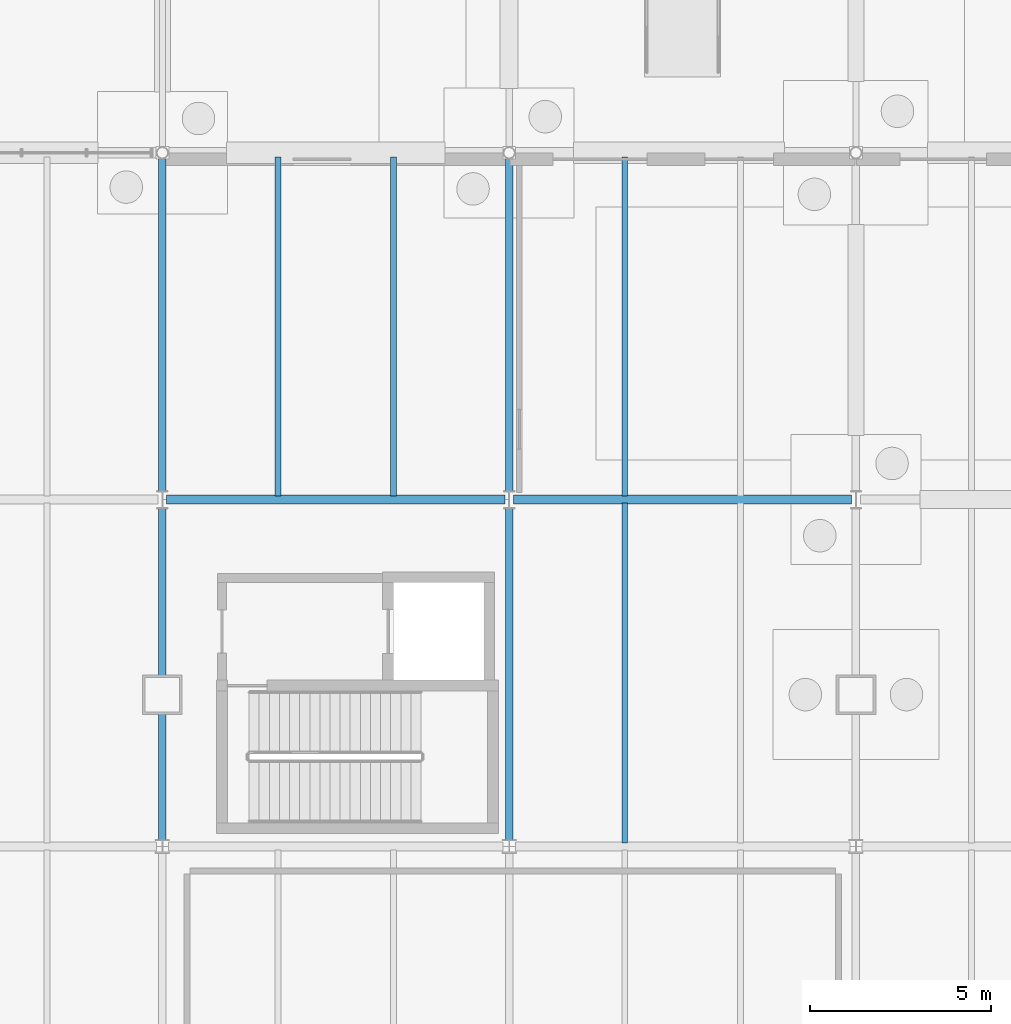
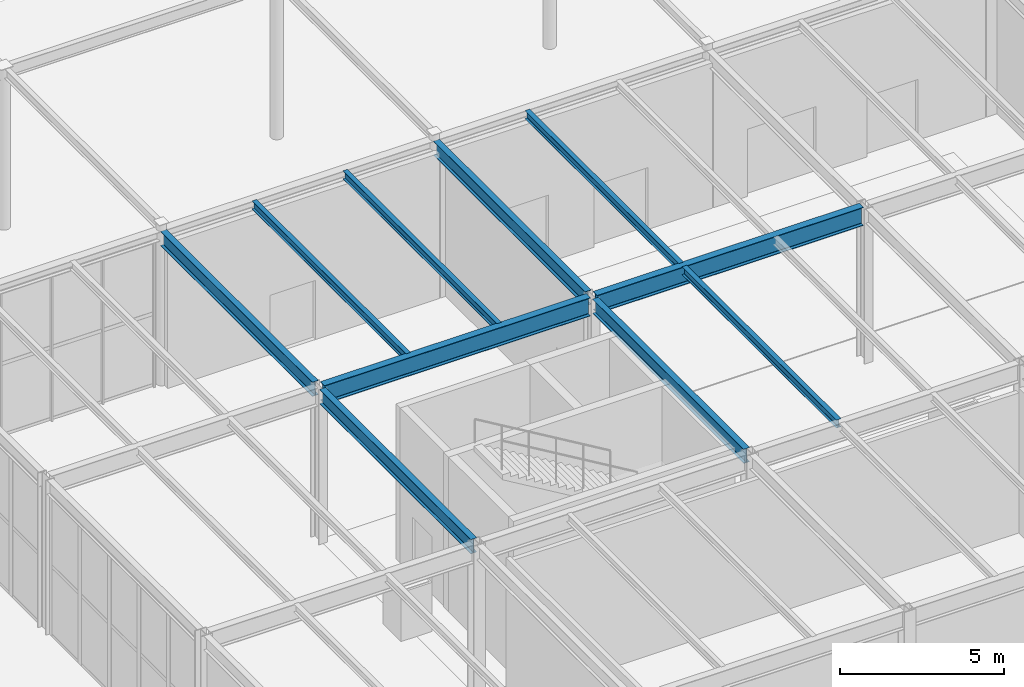
# One storey, part 74 of 142: 10 beams.
"""IFC4 building model written with IfcOpenShell, lengths in metres."""

from ifc_helpers import new_model, si_unit, direction, frame, origin, origin_2d, place, context, subcontext, project, spatial, i_section, extrude, material, material_profile, profile_set, type_object, element, save


model = new_model("IFC4")

# Units and contexts
model_context = context("Model", 3, precision=1e-05, world=origin(), true_north=direction((0.0, 1.0)))
body_context = subcontext(model_context, "Body", "Model", "MODEL_VIEW")
ifc_project = project(units=[si_unit("LENGTHUNIT", "METRE"), si_unit("AREAUNIT", "SQUARE_METRE"), si_unit("VOLUMEUNIT", "CUBIC_METRE"), si_unit("PLANEANGLEUNIT", "RADIAN"), si_unit("MASSUNIT", "GRAM", prefix="KILO")], contexts=[model_context])

# Site, building, storey
site_placement = place(None, origin())
site = spatial("IfcSite", under=ifc_project, at=site_placement, CompositionType="ELEMENT")
building_placement = place(site_placement, origin())
building = spatial("IfcBuilding", under=site, at=building_placement, Name="Coralgate Yard Interchange", CompositionType="ELEMENT")
storey_placement = place(building_placement, origin())
storey = spatial("IfcBuildingStorey", under=building, at=storey_placement, Name="L00", CompositionType="ELEMENT", Elevation=0.0)

# Beams
ifc_material = material(Name="Structural steel S355J2", Category="steel")
ifc_material_profile_1 = material_profile(ifc_material, i_section(OverallWidth=0.209228515625, OverallDepth=0.533203125, WebThickness=0.010009765625, FlangeThickness=0.015625, FilletRadius=0.0126953125, at=origin_2d()), Name="UB 533x210x92")
ifc_profile_set_1 = profile_set([ifc_material_profile_1], Name="Structural steel S355J2")
beam_type_1 = type_object("IfcBeamType", Name="BM-SB-1", PredefinedType="BEAM", material=ifc_profile_set_1)
beam_1_placement = place(storey_placement, frame((48.0, 76.966796875, 5.4833984375), z_axis=(0.0, 1.0, 0.0), x_axis=(-1.0, 0.0, 0.0)))
element("IfcBeam", 1, at=beam_1_placement, inside=storey, type_object=beam_type_1, Name="L00 primary grid girder X5 Y8-9", PredefinedType="BEAM", context=body_context, shape_type="SweptSolid", body=[
    extrude(i_section(OverallWidth=0.209228515625, OverallDepth=0.533203125, WebThickness=0.010009765625, FlangeThickness=0.015625, FilletRadius=0.0126953125, at=origin_2d()), origin(), (0.0, 0.0, 1.0), 9.213134765625),
])
beam_2_placement = place(storey_placement, frame((48.0, 86.6201171875, 5.4833984375), z_axis=(0.0, 1.0, 0.0), x_axis=(-1.0, 0.0, 0.0)))
element("IfcBeam", 2, at=beam_2_placement, inside=storey, type_object=beam_type_1, Name="L00 primary grid girder X5 Y9-10", PredefinedType="BEAM", context=body_context, shape_type="SweptSolid", body=[
    extrude(i_section(OverallWidth=0.209228515625, OverallDepth=0.533203125, WebThickness=0.010009765625, FlangeThickness=0.015625, FilletRadius=0.0126953125, at=origin_2d()), origin(), (0.0, 0.0, 1.0), 9.247802734375),
])
beam_3_placement = place(storey_placement, frame((57.60009765625, 76.966796875, 5.4833984375), z_axis=(0.0, 1.0, 0.0), x_axis=(-1.0, 0.0, 0.0)))
element("IfcBeam", 3, at=beam_3_placement, inside=storey, type_object=beam_type_1, Name="L00 primary grid girder X6 Y8-9", PredefinedType="BEAM", context=body_context, shape_type="SweptSolid", body=[
    extrude(i_section(OverallWidth=0.209228515625, OverallDepth=0.533203125, WebThickness=0.010009765625, FlangeThickness=0.015625, FilletRadius=0.0126953125, at=origin_2d()), origin(), (0.0, 0.0, 1.0), 9.213134765625),
])
beam_4_placement = place(storey_placement, frame((57.60009765625, 86.6201171875, 5.4833984375), z_axis=(0.0, 1.0, 0.0), x_axis=(-1.0, 0.0, 0.0)))
element("IfcBeam", 4, at=beam_4_placement, inside=storey, type_object=beam_type_1, Name="L00 primary grid girder X6 Y9-10", PredefinedType="BEAM", context=body_context, shape_type="SweptSolid", body=[
    extrude(i_section(OverallWidth=0.209228515625, OverallDepth=0.533203125, WebThickness=0.010009765625, FlangeThickness=0.015625, FilletRadius=0.0126953125, at=origin_2d()), origin(), (0.0, 0.0, 1.0), 9.247802734375),
])
ifc_material_profile_2 = material_profile(ifc_material, i_section(OverallWidth=0.253662109375, OverallDepth=0.68359375, WebThickness=0.012451171875, FlangeThickness=0.01904296875, FilletRadius=0.01513671875, at=origin_2d()), Name="UB 686x254x140")
ifc_profile_set_2 = profile_set([ifc_material_profile_2], Name="Structural steel S355J2")
beam_type_2 = type_object("IfcBeamType", Name="BM-SG-4", PredefinedType="BEAM", material=ifc_profile_set_2)
beam_5_placement = place(storey_placement, frame((48.1201171875, 86.39990234375, 5.408203125), z_axis=(1.0, 0.0, 0.0), x_axis=(0.0, 1.0, 0.0)))
element("IfcBeam", 5, at=beam_5_placement, inside=storey, type_object=beam_type_2, Name="L00 primary grid beam Y9 X5-6", PredefinedType="BEAM", context=body_context, shape_type="SweptSolid", body=[
    extrude(i_section(OverallWidth=0.253662109375, OverallDepth=0.68359375, WebThickness=0.012451171875, FlangeThickness=0.01904296875, FilletRadius=0.01513671875, at=origin_2d()), origin(), (0.0, 0.0, 1.0), 9.35986328125),
])
beam_6_placement = place(storey_placement, frame((57.719970703125, 86.39990234375, 5.408203125), z_axis=(1.0, 0.0, 0.0), x_axis=(0.0, 1.0, 0.0)))
element("IfcBeam", 6, at=beam_6_placement, inside=storey, type_object=beam_type_2, Name="L00 primary grid beam Y9 X6-7", PredefinedType="BEAM", context=body_context, shape_type="SweptSolid", body=[
    extrude(i_section(OverallWidth=0.253662109375, OverallDepth=0.68359375, WebThickness=0.012451171875, FlangeThickness=0.01904296875, FilletRadius=0.01513671875, at=origin_2d()), origin(), (0.0, 0.0, 1.0), 9.360107421875),
])
ifc_material_profile_3 = material_profile(ifc_material, i_section(OverallWidth=0.1650390625, OverallDepth=0.303466796875, WebThickness=0.006103515625, FlangeThickness=0.01025390625, FilletRadius=0.0087890625, at=origin_2d()), Name="UB 305x165x40")
ifc_profile_set_3 = profile_set([ifc_material_profile_3], Name="Structural steel S355J2")
beam_type_3 = type_object("IfcBeamType", Name="BM-SJ-1", PredefinedType="JOIST", material=ifc_profile_set_3)
for number, where, z_axis, x_axis, name in (
    (7, (51.199951171875, 86.496826171875, 5.598388671875), (0.0, 1.0, 0.0), (-1.0, 0.0, 0.0), "L00 composite floor joist 5-9-1"),
    (8, (54.39990234375, 86.496826171875, 5.598388671875), (0.0, 1.0, 0.0), (-1.0, 0.0, 0.0), "L00 composite floor joist 5-9-2"),
):
    element("IfcBeam", number, at=place(storey_placement, frame(where, z_axis=z_axis, x_axis=x_axis)), inside=storey, type_object=beam_type_3, Name=name, PredefinedType="JOIST", context=body_context, shape_type="SweptSolid", body=[
        extrude(i_section(OverallWidth=0.1650390625, OverallDepth=0.303466796875, WebThickness=0.006103515625, FlangeThickness=0.01025390625, FilletRadius=0.0087890625, at=origin_2d()), origin(), (0.0, 0.0, 1.0), 9.383056640625),
    ])
beam_7_placement = place(storey_placement, frame((60.800048828125, 76.89697265625, 5.598388671875), z_axis=(0.0, 1.0, 0.0), x_axis=(-1.0, 0.0, 0.0)))
element("IfcBeam", 9, at=beam_7_placement, inside=storey, type_object=beam_type_3, Name="L00 composite floor joist 6-8-1", PredefinedType="JOIST", context=body_context, shape_type="SweptSolid", body=[
    extrude(i_section(OverallWidth=0.1650390625, OverallDepth=0.303466796875, WebThickness=0.006103515625, FlangeThickness=0.01025390625, FilletRadius=0.0087890625, at=origin_2d()), origin(), (0.0, 0.0, 1.0), 9.406005859375),
])
beam_8_placement = place(storey_placement, frame((60.800048828125, 86.496826171875, 5.598388671875), z_axis=(0.0, 1.0, 0.0), x_axis=(-1.0, 0.0, 0.0)))
element("IfcBeam", 10, at=beam_8_placement, inside=storey, type_object=beam_type_3, Name="L00 composite floor joist 6-9-1", PredefinedType="JOIST", context=body_context, shape_type="SweptSolid", body=[
    extrude(i_section(OverallWidth=0.1650390625, OverallDepth=0.303466796875, WebThickness=0.006103515625, FlangeThickness=0.01025390625, FilletRadius=0.0087890625, at=origin_2d()), origin(), (0.0, 0.0, 1.0), 9.383056640625),
])

save(model, "model.ifc")
